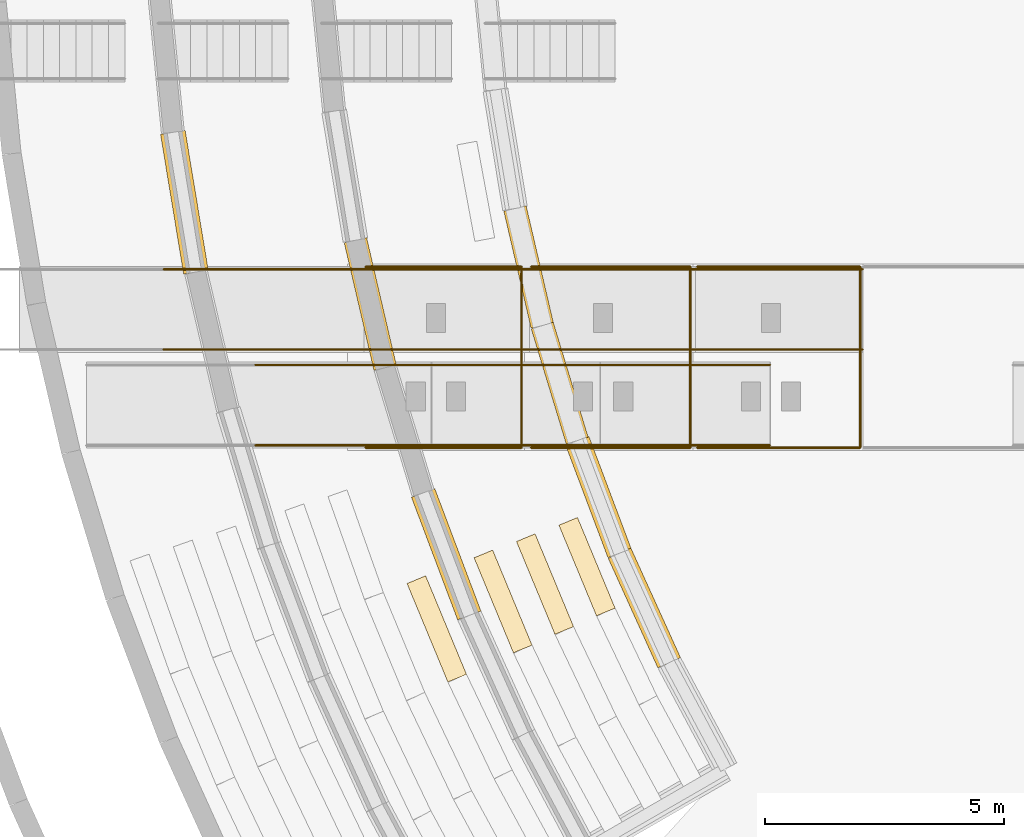
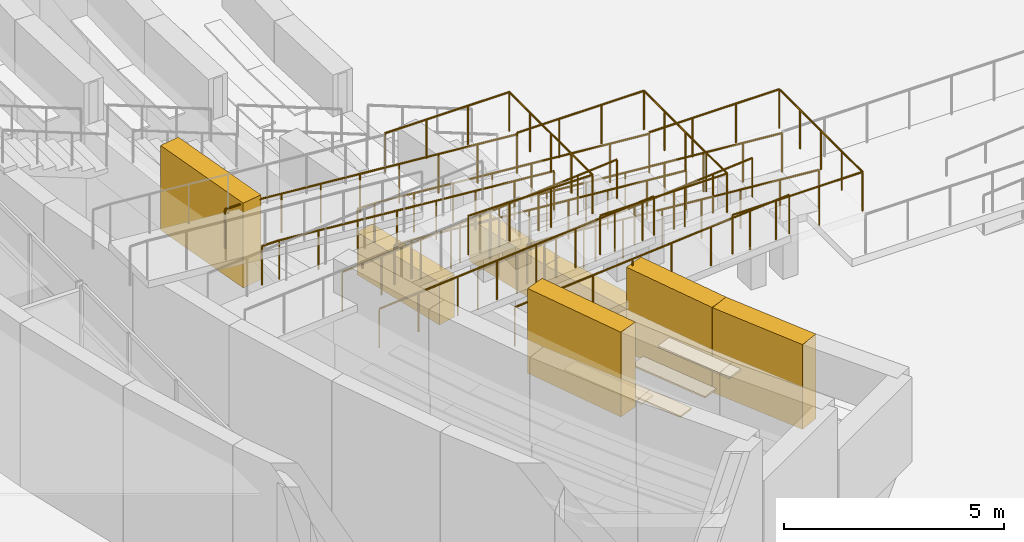
# One storey, part 111 of 116: 13 railings, 11 coverings, 4 elements without a shape of their own.
"""IFC4 building model written with IfcOpenShell, lengths in metres."""

import ifcopenshell
import ifcopenshell.guid

model = None  # the IFC model being written
_history = None  # IfcOwnerHistory: only IFC2X3 demands one
_inside = {}  # id of a spatial element -> (the spatial element, [elements in it])
_under = {}  # id of a project, library or spatial element -> (it, [spatial elements below it])
_declared = {}  # id of a project -> (the project, [libraries it declares])
_typed = {}  # id of a type object -> (the type object, [elements of that type])
_made_of = {}  # id of a material, layer set ... -> (it, [elements and type objects made of it])


def new_model(schema):
    """Start an empty IFC model of exactly this schema.

    Asked for "IFC4X3", IfcOpenShell would pick the latest addendum, in which some entities
    have other attributes; the version numbers below select the first issue.
    IFC2X3 requires an IfcOwnerHistory on every rooted entity: one is made here for all.
    """
    global model, _history
    if schema == "IFC4X3":
        model = ifcopenshell.file(schema_version=(4, 3, 0, 0))
    else:
        model = ifcopenshell.file(schema=schema)
    _inside.clear()
    _under.clear()
    _declared.clear()
    _typed.clear()
    _made_of.clear()
    _history = None
    if model.schema == "IFC2X3":
        org = make("IfcOrganization", Name="unknown")
        user = make(
            "IfcPersonAndOrganization",
            ThePerson=make("IfcPerson", FamilyName="unknown"),
            TheOrganization=org,
        )
        app = make(
            "IfcApplication",
            ApplicationDeveloper=org,
            Version="unknown",
            ApplicationFullName="unknown",
            ApplicationIdentifier="unknown",
        )
        _history = make(
            "IfcOwnerHistory",
            OwningUser=user,
            OwningApplication=app,
            ChangeAction="ADDED",
            CreationDate=0,
        )
    return model


def make(cls, **values):
    """One entity of the class cls with the attributes given. An attribute that is None is left unset."""
    return model.create_entity(
        cls, **{name: value for name, value in values.items() if value is not None}
    )


def rooted(cls, **values):
    """An entity with a GlobalId (a new one), such as an element, a storey or a relation."""
    return make(cls, GlobalId=ifcopenshell.guid.new(), OwnerHistory=_history, **values)


def si_unit(unit_type, name, prefix=None):
    """IfcSIUnit, for example si_unit("LENGTHUNIT", "METRE", prefix="MILLI")."""
    return make("IfcSIUnit", UnitType=unit_type, Prefix=prefix, Name=name)


def assignment(units):
    """IfcUnitAssignment: the units of a project."""
    return None if units is None else make("IfcUnitAssignment", Units=units)


def point(xyz):
    """IfcCartesianPoint."""
    return None if xyz is None else make("IfcCartesianPoint", Coordinates=xyz)


def direction(xyz):
    """IfcDirection."""
    return None if xyz is None else make("IfcDirection", DirectionRatios=xyz)


def frame(location, z_axis=None, x_axis=None):
    """IfcAxis2Placement3D, a coordinate frame: its origin and axes. An axis left out is left unset."""
    return make(
        "IfcAxis2Placement3D",
        Location=point(location),
        Axis=direction(z_axis),
        RefDirection=direction(x_axis),
    )


def frame_2d(location, x_axis=None):
    """IfcAxis2Placement2D, a coordinate frame in the plane: its origin and x axis."""
    return make(
        "IfcAxis2Placement2D", Location=point(location), RefDirection=direction(x_axis)
    )


def origin():
    """The frame at (0, 0, 0) with its axes left unset."""
    return frame((0.0, 0.0, 0.0))


def origin_2d():
    """The frame at (0, 0) in the plane with its x axis left unset."""
    return frame_2d((0.0, 0.0))


def place(relative_to, where):
    """IfcLocalPlacement: puts the frame where relative to a parent placement (None: the world)."""
    return make(
        "IfcLocalPlacement", PlacementRelTo=relative_to, RelativePlacement=where
    )


def context(
    kind, dimensions, precision=None, world=None, true_north=None, identifier=None
):
    """IfcGeometricRepresentationContext, for example the 3D "Model" context."""
    return make(
        "IfcGeometricRepresentationContext",
        ContextIdentifier=identifier,
        ContextType=kind,
        CoordinateSpaceDimension=dimensions,
        Precision=precision,
        WorldCoordinateSystem=world,
        TrueNorth=true_north,
    )


def subcontext(parent, identifier, kind, view, scale=None):
    """IfcGeometricRepresentationSubContext, for example "Body" below "Model"."""
    return make(
        "IfcGeometricRepresentationSubContext",
        ContextIdentifier=identifier,
        ContextType=kind,
        ParentContext=parent,
        TargetScale=scale,
        TargetView=view,
    )


def project(units=None, contexts=None):
    """IfcProject with its units and contexts."""
    return rooted(
        "IfcProject",
        Name="project",
        RepresentationContexts=contexts,
        UnitsInContext=assignment(units),
    )


def spatial(cls, under=None, at=None, **own):
    """A site, building, storey or space (cls), placed at a placement, below another one or the project."""
    s = rooted(cls, ObjectPlacement=at, **own)
    if under is not None:
        _under.setdefault(under.id(), (under, []))[1].append(s)
    return s


def polyline(points):
    """IfcPolyline through the points."""
    return make("IfcPolyline", Points=[point(p) for p in points])


def profile(cls, at=None, kind="AREA", **sizes):
    """A parametric profile (cls). Its sizes go by their IFC names, for example OverallWidth=200.0."""
    return make(cls, ProfileType=kind, Position=at, **sizes)


def circle(**sizes):
    """IfcCircleProfileDef."""
    return profile("IfcCircleProfileDef", **sizes)


def outline(outer, holes=None, kind="AREA"):
    """IfcArbitraryClosedProfileDef: a profile drawn as a closed curve; with holes, ...WithVoids."""
    if holes is None:
        return make("IfcArbitraryClosedProfileDef", ProfileType=kind, OuterCurve=outer)
    return make(
        "IfcArbitraryProfileDefWithVoids",
        ProfileType=kind,
        OuterCurve=outer,
        InnerCurves=holes,
    )


def extrude(swept, where, along, depth):
    """IfcExtrudedAreaSolid: the profile swept, set in the frame where, extruded along a direction by depth."""
    return make(
        "IfcExtrudedAreaSolid",
        SweptArea=swept,
        Position=where,
        ExtrudedDirection=direction(along),
        Depth=depth,
    )


def shape(context_of_items, identifier, shape_type, items):
    """IfcShapeRepresentation: the items that make up one representation, for example the "Body"."""
    return make(
        "IfcShapeRepresentation",
        ContextOfItems=context_of_items,
        RepresentationIdentifier=identifier,
        RepresentationType=shape_type,
        Items=items,
    )


def material(Name=None, Category=None):
    """IfcMaterial."""
    return make("IfcMaterial", Name=Name, Category=Category)


def layer(
    of_material, thickness, ventilated=None, Name=None, Category=None, Priority=None
):
    """IfcMaterialLayer: one layer of a wall or slab, of a material (None: an air gap)."""
    return make(
        "IfcMaterialLayer",
        Material=of_material,
        LayerThickness=thickness,
        IsVentilated=ventilated,
        Name=Name,
        Category=Category,
        Priority=Priority,
    )


def layer_set(layers, Name=None):
    """IfcMaterialLayerSet."""
    return make("IfcMaterialLayerSet", MaterialLayers=layers, LayerSetName=Name)


def made_of(thing, what):
    """Note that an element or type object is made of a material, layer set ...; save() writes the relation."""
    if what is not None:
        _made_of.setdefault(what.id(), (what, []))[1].append(thing)
    return thing


def type_object(cls, material=None, **own):
    """A type object (cls), such as IfcWallType, which elements share."""
    return made_of(rooted(cls, **own), material)


def element(
    cls,
    number,
    at=None,
    inside=None,
    cuts=None,
    type_object=None,
    material=None,
    context=None,
    identifier="Body",
    shape_type=None,
    held_by="IfcProductDefinitionShape",
    body=None,
    shapes=None,
    **own,
):
    """One element of the class cls, such as IfcWall. Its Tag is "e" and its number.

    at: its placement. inside: the storey or other place that contains it. cuts: it is an
    opening in that element (IfcRelVoidsElement). A single representation is given by context,
    identifier, shape_type and body (its items); several are given by shapes. held_by: the class
    of the entity that holds the representations. save() writes the other relations.
    """
    e = rooted(cls, Tag="e%d" % number, ObjectPlacement=at, **own)
    if body is not None:
        shapes = [shape(context, identifier, shape_type, body)]
    if shapes is not None:
        e.Representation = make(held_by, Representations=shapes)
    if inside is not None:
        _inside.setdefault(inside.id(), (inside, []))[1].append(e)
    if cuts is not None:
        rooted(
            "IfcRelVoidsElement", RelatingBuildingElement=cuts, RelatedOpeningElement=e
        )
    if type_object is not None:
        _typed.setdefault(type_object.id(), (type_object, []))[1].append(e)
    return made_of(e, material)


def aggregate(whole, parts):
    """IfcRelAggregates: a whole, such as a stair, and the parts it consists of."""
    return rooted("IfcRelAggregates", RelatingObject=whole, RelatedObjects=parts)


def save(model, path):
    """Write the relations noted so far, then the file.

    IfcRelAggregates (storeys below a building ...), IfcRelContainedInSpatialStructure (elements
    in a storey), IfcRelDefinesByType, IfcRelAssociatesMaterial and IfcRelDeclares: one each for
    every whole, place, type object, material and project.
    """
    for whole, parts in _under.values():
        aggregate(whole, parts)
    for where, things in _inside.values():
        rooted(
            "IfcRelContainedInSpatialStructure",
            RelatedElements=things,
            RelatingStructure=where,
        )
    for kind, things in _typed.values():
        rooted("IfcRelDefinesByType", RelatedObjects=things, RelatingType=kind)
    for what, things in _made_of.values():
        rooted("IfcRelAssociatesMaterial", RelatedObjects=things, RelatingMaterial=what)
    for by, libraries in _declared.values():
        rooted("IfcRelDeclares", RelatingContext=by, RelatedDefinitions=libraries)
    model.write(path)


model = new_model("IFC4")

# Units and contexts
model_context = context("Model", 3, precision=1e-05, world=origin(), true_north=direction((0.0, 1.0)))
body_context = subcontext(model_context, "Body", "Model", "MODEL_VIEW")
ifc_project = project(units=[si_unit("LENGTHUNIT", "METRE"), si_unit("AREAUNIT", "SQUARE_METRE"), si_unit("VOLUMEUNIT", "CUBIC_METRE"), si_unit("PLANEANGLEUNIT", "RADIAN"), si_unit("MASSUNIT", "GRAM", prefix="KILO")], contexts=[model_context])

# Site, building, storey
site_placement = place(None, origin())
site = spatial("IfcSite", under=ifc_project, at=site_placement, CompositionType="ELEMENT")
building_placement = place(site_placement, origin())
building = spatial("IfcBuilding", under=site, at=building_placement, Name="Chalmorin Arch Market", CompositionType="ELEMENT")
storey_placement = place(building_placement, origin())
storey = spatial("IfcBuildingStorey", under=building, at=storey_placement, Name="L00", CompositionType="ELEMENT", Elevation=0.0)

# Ramp, railings
ifc_material_1 = material(Name="Concrete C40/50", Category="concrete")
ramp_type = type_object("IfcRampType", Name="AmphitheatreAccessibleRamp-1800", PredefinedType="HALF_TURN_RAMP", material=ifc_material_1)
ramp_1_placement = place(storey_placement, origin())
ramp_1 = element("IfcRamp", 1, at=ramp_1_placement, inside=storey, type_object=ramp_type, material=ifc_material_1, Name="RMP-01", PredefinedType="HALF_TURN_RAMP")
ifc_material_2 = material(Name="Galvanised Steel", Category="steel")
ifc_layer_1 = layer(ifc_material_2, 0.054931640625)
ifc_layer_set_1 = layer_set([ifc_layer_1], Name="Galvanised Steel")
railing_type = type_object("IfcRailingType", Name="StairWellGuardrail-1100", PredefinedType="GUARDRAIL", material=ifc_layer_set_1)
railing_1_placement = place(storey_placement, frame((153.59912109375, 21.9599609375, 0.60009765625)))
railing_1 = element("IfcRailing", 2, at=railing_1_placement, type_object=railing_type, Name="SG-01-149", PredefinedType="GUARDRAIL", context=body_context, shape_type="SweptSolid", body=[
    extrude(circle(Radius=0.02392578125, at=origin_2d()), frame((0.0, 0.0, 1.076171875), z_axis=(-0.996547622294, 0.0, 0.083023108232), x_axis=(0.0, -1.0, 0.0)), (0.0, 0.0, 1.0), 7.22509765625),
    extrude(circle(Radius=0.02392578125, at=origin_2d()), frame((-7.2001953125, 0.0, 1.67578125), z_axis=(-1.0, 0.0, 0.0), x_axis=(0.0, -1.0, 0.0)), (0.0, 0.0, 1.0), 0.449951171875),
    extrude(circle(Radius=0.02099609375, at=origin_2d()), origin(), (0.0, 0.0, 1.0), 1.052001953125),
    extrude(circle(Radius=0.02099609375, at=origin_2d()), frame((-1.028564453125, 0.0, 0.085693359375)), (0.0, 0.0, 1.0), 1.052001953125),
    extrude(circle(Radius=0.02099609375, at=origin_2d()), frame((-2.05712890625, 0.0, 0.17138671875)), (0.0, 0.0, 1.0), 1.052001953125),
    extrude(circle(Radius=0.02099609375, at=origin_2d()), frame((-3.085693359375, 0.0, 0.257080078125)), (0.0, 0.0, 1.0), 1.052001953125),
    extrude(circle(Radius=0.02099609375, at=origin_2d()), frame((-4.114501953125, 0.0, 0.3427734375)), (0.0, 0.0, 1.0), 1.052001953125),
    extrude(circle(Radius=0.02099609375, at=origin_2d()), frame((-5.14306640625, 0.0, 0.428466796875)), (0.0, 0.0, 1.0), 1.052001953125),
    extrude(circle(Radius=0.02099609375, at=origin_2d()), frame((-6.171630859375, 0.0, 0.51416015625)), (0.0, 0.0, 1.0), 1.052001953125),
    extrude(circle(Radius=0.02099609375, at=origin_2d()), frame((-7.2001953125, 0.0, 0.599853515625)), (0.0, 0.0, 1.0), 1.052001953125),
    extrude(circle(Radius=0.02099609375, at=origin_2d()), frame((-7.650146484375, 0.0, 0.599853515625)), (0.0, 0.0, 1.0), 1.052001953125),
])
railing_2_placement = place(storey_placement, frame((153.59912109375, 23.639892578125, 0.60009765625)))
railing_2 = element("IfcRailing", 3, at=railing_2_placement, type_object=railing_type, Name="SG-01-151", PredefinedType="GUARDRAIL", context=body_context, shape_type="SweptSolid", body=[
    extrude(circle(Radius=0.02392578125, at=origin_2d()), frame((0.0, 0.0, 1.076171875), z_axis=(-0.996547622294, 0.0, 0.083023108232), x_axis=(0.0, -1.0, 0.0)), (0.0, 0.0, 1.0), 7.22509765625),
    extrude(circle(Radius=0.02392578125, at=origin_2d()), frame((-7.2001953125, 0.0, 1.67578125), z_axis=(-1.0, 0.0, 0.0), x_axis=(0.0, -1.0, 0.0)), (0.0, 0.0, 1.0), 0.449951171875),
    extrude(circle(Radius=0.02099609375, at=origin_2d()), origin(), (0.0, 0.0, 1.0), 1.052001953125),
    extrude(circle(Radius=0.02099609375, at=origin_2d()), frame((-1.028564453125, 0.0, 0.085693359375)), (0.0, 0.0, 1.0), 1.052001953125),
    extrude(circle(Radius=0.02099609375, at=origin_2d()), frame((-2.05712890625, 0.0, 0.17138671875)), (0.0, 0.0, 1.0), 1.052001953125),
    extrude(circle(Radius=0.02099609375, at=origin_2d()), frame((-3.085693359375, 0.0, 0.257080078125)), (0.0, 0.0, 1.0), 1.052001953125),
    extrude(circle(Radius=0.02099609375, at=origin_2d()), frame((-4.114501953125, 0.0, 0.3427734375)), (0.0, 0.0, 1.0), 1.052001953125),
    extrude(circle(Radius=0.02099609375, at=origin_2d()), frame((-5.14306640625, 0.0, 0.428466796875)), (0.0, 0.0, 1.0), 1.052001953125),
    extrude(circle(Radius=0.02099609375, at=origin_2d()), frame((-6.171630859375, 0.0, 0.51416015625)), (0.0, 0.0, 1.0), 1.052001953125),
    extrude(circle(Radius=0.02099609375, at=origin_2d()), frame((-7.2001953125, 0.0, 0.599853515625)), (0.0, 0.0, 1.0), 1.052001953125),
    extrude(circle(Radius=0.02099609375, at=origin_2d()), frame((-7.650146484375, 0.0, 0.599853515625)), (0.0, 0.0, 1.0), 1.052001953125),
])
aggregate(ramp_1, [railing_1, railing_2])

ramp_2_placement = place(storey_placement, origin())
ramp_2 = element("IfcRamp", 4, at=ramp_2_placement, inside=storey, type_object=ramp_type, material=ifc_material_1, Name="RMP-03", PredefinedType="HALF_TURN_RAMP")
railing_3_placement = place(storey_placement, frame((150.14501953125, 19.909912109375, 1.800048828125)))
railing_3 = element("IfcRailing", 5, at=railing_3_placement, type_object=railing_type, Name="SG-01-157", PredefinedType="GUARDRAIL", context=body_context, shape_type="SweptSolid", body=[
    extrude(circle(Radius=0.02392578125, at=origin_2d()), frame((0.0, 0.0, 1.076171875), z_axis=(1.0, 0.0, 0.0), x_axis=(0.0, 1.0, 0.0)), (0.0, 0.0, 1.0), 3.407958984375),
    extrude(circle(Radius=0.02392578125, at=origin_2d()), frame((3.407958984375, 0.0, 1.076171875), z_axis=(0.0, 1.0, 0.0), x_axis=(-1.0, 0.0, 0.0)), (0.0, 0.0, 1.0), 3.780029296875),
    extrude(circle(Radius=0.02392578125, at=origin_2d()), frame((3.407958984375, 3.780029296875, 1.076171875), z_axis=(-1.0, 0.0, 0.0), x_axis=(0.0, -1.0, 0.0)), (0.0, 0.0, 1.0), 3.407958984375),
    extrude(circle(Radius=0.02099609375, at=origin_2d()), origin(), (0.0, 0.0, 1.0), 1.052001953125),
    extrude(circle(Radius=0.02099609375, at=origin_2d()), frame((1.135986328125, 0.0, 0.0)), (0.0, 0.0, 1.0), 1.052001953125),
    extrude(circle(Radius=0.02099609375, at=origin_2d()), frame((2.27197265625, 0.0, 0.0)), (0.0, 0.0, 1.0), 1.052001953125),
    extrude(circle(Radius=0.02099609375, at=origin_2d()), frame((3.407958984375, 0.0, 0.0)), (0.0, 0.0, 1.0), 1.052001953125),
    extrude(circle(Radius=0.02099609375, at=origin_2d()), frame((3.407958984375, 0.945068359375, 0.0)), (0.0, 0.0, 1.0), 1.052001953125),
    extrude(circle(Radius=0.02099609375, at=origin_2d()), frame((3.407958984375, 1.89013671875, 0.0)), (0.0, 0.0, 1.0), 1.052001953125),
    extrude(circle(Radius=0.02099609375, at=origin_2d()), frame((3.407958984375, 2.8349609375, 0.0)), (0.0, 0.0, 1.0), 1.052001953125),
    extrude(circle(Radius=0.02099609375, at=origin_2d()), frame((3.407958984375, 3.780029296875, 0.0)), (0.0, 0.0, 1.0), 1.052001953125),
    extrude(circle(Radius=0.02099609375, at=origin_2d()), frame((2.27197265625, 3.780029296875, 0.0)), (0.0, 0.0, 1.0), 1.052001953125),
    extrude(circle(Radius=0.02099609375, at=origin_2d()), frame((1.135986328125, 3.780029296875, 0.0)), (0.0, 0.0, 1.0), 1.052001953125),
    extrude(circle(Radius=0.02099609375, at=origin_2d()), frame((0.0, 3.780029296875, 0.0)), (0.0, 0.0, 1.0), 1.052001953125),
])
railing_4_placement = place(storey_placement, frame((144.462890625, 19.9599609375, 1.199951171875)))
railing_4 = element("IfcRailing", 6, at=railing_4_placement, type_object=railing_type, Name="SG-01-158", PredefinedType="GUARDRAIL", context=body_context, shape_type="SweptSolid", body=[
    extrude(circle(Radius=0.02392578125, at=origin_2d()), frame((0.0, 0.0, 1.076171875), z_axis=(0.996544826035, 0.0, 0.083056665618), x_axis=(0.0, 1.0, 0.0)), (0.0, 0.0, 1.0), 7.22509765625),
    extrude(circle(Radius=0.02099609375, at=origin_2d()), origin(), (0.0, 0.0, 1.0), 1.052001953125),
    extrude(circle(Radius=0.02099609375, at=origin_2d()), frame((1.028564453125, 0.0, 0.085693359375)), (0.0, 0.0, 1.0), 1.052001953125),
    extrude(circle(Radius=0.02099609375, at=origin_2d()), frame((2.05712890625, 0.0, 0.17138671875)), (0.0, 0.0, 1.0), 1.052001953125),
    extrude(circle(Radius=0.02099609375, at=origin_2d()), frame((3.085693359375, 0.0, 0.257080078125)), (0.0, 0.0, 1.0), 1.052001953125),
    extrude(circle(Radius=0.02099609375, at=origin_2d()), frame((4.114501953125, 0.0, 0.343017578125)), (0.0, 0.0, 1.0), 1.052001953125),
    extrude(circle(Radius=0.02099609375, at=origin_2d()), frame((5.14306640625, 0.0, 0.4287109375)), (0.0, 0.0, 1.0), 1.052001953125),
    extrude(circle(Radius=0.02099609375, at=origin_2d()), frame((6.171630859375, 0.0, 0.514404296875)), (0.0, 0.0, 1.0), 1.052001953125),
    extrude(circle(Radius=0.02099609375, at=origin_2d()), frame((7.2001953125, 0.0, 0.60009765625)), (0.0, 0.0, 1.0), 1.052001953125),
])
railing_5_placement = place(storey_placement, frame((150.114990234375, 21.9599609375, 1.800048828125)))
railing_5 = element("IfcRailing", 7, at=railing_5_placement, type_object=railing_type, Name="SG-01-159", PredefinedType="GUARDRAIL", context=body_context, shape_type="SweptSolid", body=[
    extrude(circle(Radius=0.02392578125, at=origin_2d()), frame((0.0, 0.0, 1.076171875), z_axis=(-0.99654738937, 0.0, 0.083025904028), x_axis=(0.0, -1.0, 0.0)), (0.0, 0.0, 1.0), 7.224853515625),
    extrude(circle(Radius=0.02392578125, at=origin_2d()), frame((-7.199951171875, 0.0, 1.67578125), z_axis=(-1.0, 0.0, 0.0), x_axis=(0.0, -1.0, 0.0)), (0.0, 0.0, 1.0), 0.449951171875),
    extrude(circle(Radius=0.02099609375, at=origin_2d()), origin(), (0.0, 0.0, 1.0), 1.052001953125),
    extrude(circle(Radius=0.02099609375, at=origin_2d()), frame((-1.028564453125, 0.0, 0.085693359375)), (0.0, 0.0, 1.0), 1.052001953125),
    extrude(circle(Radius=0.02099609375, at=origin_2d()), frame((-2.05712890625, 0.0, 0.17138671875)), (0.0, 0.0, 1.0), 1.052001953125),
    extrude(circle(Radius=0.02099609375, at=origin_2d()), frame((-3.085693359375, 0.0, 0.257080078125)), (0.0, 0.0, 1.0), 1.052001953125),
    extrude(circle(Radius=0.02099609375, at=origin_2d()), frame((-4.1142578125, 0.0, 0.3427734375)), (0.0, 0.0, 1.0), 1.052001953125),
    extrude(circle(Radius=0.02099609375, at=origin_2d()), frame((-5.142822265625, 0.0, 0.428466796875)), (0.0, 0.0, 1.0), 1.052001953125),
    extrude(circle(Radius=0.02099609375, at=origin_2d()), frame((-6.17138671875, 0.0, 0.51416015625)), (0.0, 0.0, 1.0), 1.052001953125),
    extrude(circle(Radius=0.02099609375, at=origin_2d()), frame((-7.199951171875, 0.0, 0.599853515625)), (0.0, 0.0, 1.0), 1.052001953125),
    extrude(circle(Radius=0.02099609375, at=origin_2d()), frame((-7.64990234375, 0.0, 0.599853515625)), (0.0, 0.0, 1.0), 1.052001953125),
])
railing_6_placement = place(storey_placement, frame((144.462890625, 21.639892578125, 1.199951171875)))
railing_6 = element("IfcRailing", 8, at=railing_6_placement, type_object=railing_type, Name="SG-01-160", PredefinedType="GUARDRAIL", context=body_context, shape_type="SweptSolid", body=[
    extrude(circle(Radius=0.02392578125, at=origin_2d()), frame((0.0, 0.0, 1.076171875), z_axis=(0.996544826035, 0.0, 0.083056665618), x_axis=(0.0, 1.0, 0.0)), (0.0, 0.0, 1.0), 7.22509765625),
    extrude(circle(Radius=0.02099609375, at=origin_2d()), origin(), (0.0, 0.0, 1.0), 1.052001953125),
    extrude(circle(Radius=0.02099609375, at=origin_2d()), frame((1.028564453125, 0.0, 0.085693359375)), (0.0, 0.0, 1.0), 1.052001953125),
    extrude(circle(Radius=0.02099609375, at=origin_2d()), frame((2.05712890625, 0.0, 0.17138671875)), (0.0, 0.0, 1.0), 1.052001953125),
    extrude(circle(Radius=0.02099609375, at=origin_2d()), frame((3.085693359375, 0.0, 0.257080078125)), (0.0, 0.0, 1.0), 1.052001953125),
    extrude(circle(Radius=0.02099609375, at=origin_2d()), frame((4.114501953125, 0.0, 0.343017578125)), (0.0, 0.0, 1.0), 1.052001953125),
    extrude(circle(Radius=0.02099609375, at=origin_2d()), frame((5.14306640625, 0.0, 0.4287109375)), (0.0, 0.0, 1.0), 1.052001953125),
    extrude(circle(Radius=0.02099609375, at=origin_2d()), frame((6.171630859375, 0.0, 0.514404296875)), (0.0, 0.0, 1.0), 1.052001953125),
    extrude(circle(Radius=0.02099609375, at=origin_2d()), frame((7.2001953125, 0.0, 0.60009765625)), (0.0, 0.0, 1.0), 1.052001953125),
])
railing_7_placement = place(storey_placement, frame((150.114990234375, 23.639892578125, 1.800048828125)))
railing_7 = element("IfcRailing", 9, at=railing_7_placement, type_object=railing_type, Name="SG-01-161", PredefinedType="GUARDRAIL", context=body_context, shape_type="SweptSolid", body=[
    extrude(circle(Radius=0.02392578125, at=origin_2d()), frame((0.0, 0.0, 1.076171875), z_axis=(-0.99654738937, 0.0, 0.083025904028), x_axis=(0.0, -1.0, 0.0)), (0.0, 0.0, 1.0), 7.224853515625),
    extrude(circle(Radius=0.02392578125, at=origin_2d()), frame((-7.199951171875, 0.0, 1.67578125), z_axis=(-1.0, 0.0, 0.0), x_axis=(0.0, -1.0, 0.0)), (0.0, 0.0, 1.0), 0.449951171875),
    extrude(circle(Radius=0.02099609375, at=origin_2d()), origin(), (0.0, 0.0, 1.0), 1.052001953125),
    extrude(circle(Radius=0.02099609375, at=origin_2d()), frame((-1.028564453125, 0.0, 0.085693359375)), (0.0, 0.0, 1.0), 1.052001953125),
    extrude(circle(Radius=0.02099609375, at=origin_2d()), frame((-2.05712890625, 0.0, 0.17138671875)), (0.0, 0.0, 1.0), 1.052001953125),
    extrude(circle(Radius=0.02099609375, at=origin_2d()), frame((-3.085693359375, 0.0, 0.257080078125)), (0.0, 0.0, 1.0), 1.052001953125),
    extrude(circle(Radius=0.02099609375, at=origin_2d()), frame((-4.1142578125, 0.0, 0.3427734375)), (0.0, 0.0, 1.0), 1.052001953125),
    extrude(circle(Radius=0.02099609375, at=origin_2d()), frame((-5.142822265625, 0.0, 0.428466796875)), (0.0, 0.0, 1.0), 1.052001953125),
    extrude(circle(Radius=0.02099609375, at=origin_2d()), frame((-6.17138671875, 0.0, 0.51416015625)), (0.0, 0.0, 1.0), 1.052001953125),
    extrude(circle(Radius=0.02099609375, at=origin_2d()), frame((-7.199951171875, 0.0, 0.599853515625)), (0.0, 0.0, 1.0), 1.052001953125),
    extrude(circle(Radius=0.02099609375, at=origin_2d()), frame((-7.64990234375, 0.0, 0.599853515625)), (0.0, 0.0, 1.0), 1.052001953125),
])
aggregate(ramp_2, [railing_3, railing_4, railing_5, railing_6, railing_7])

ramp_3_placement = place(storey_placement, origin())
ramp_3 = element("IfcRamp", 10, at=ramp_3_placement, inside=storey, type_object=ramp_type, material=ifc_material_1, Name="RMP-05", PredefinedType="HALF_TURN_RAMP")
railing_8_placement = place(storey_placement, frame((146.675048828125, 19.909912109375, 3.0)))
railing_8 = element("IfcRailing", 11, at=railing_8_placement, type_object=railing_type, Name="SG-01-167", PredefinedType="GUARDRAIL", context=body_context, shape_type="SweptSolid", body=[
    extrude(circle(Radius=0.02392578125, at=origin_2d()), frame((0.0, 0.0, 1.076171875), z_axis=(1.0, 0.0, 0.0), x_axis=(0.0, 1.0, 0.0)), (0.0, 0.0, 1.0), 3.327880859375),
    extrude(circle(Radius=0.02392578125, at=origin_2d()), frame((3.327880859375, 0.0, 1.076171875), z_axis=(0.0, 1.0, 0.0), x_axis=(-1.0, 0.0, 0.0)), (0.0, 0.0, 1.0), 3.780029296875),
    extrude(circle(Radius=0.02392578125, at=origin_2d()), frame((3.327880859375, 3.780029296875, 1.076171875), z_axis=(-1.0, 0.0, 0.0), x_axis=(0.0, -1.0, 0.0)), (0.0, 0.0, 1.0), 3.327880859375),
    extrude(circle(Radius=0.02099609375, at=origin_2d()), origin(), (0.0, 0.0, 1.0), 1.052001953125),
    extrude(circle(Radius=0.02099609375, at=origin_2d()), frame((1.109375, 0.0, 0.0)), (0.0, 0.0, 1.0), 1.052001953125),
    extrude(circle(Radius=0.02099609375, at=origin_2d()), frame((2.218505859375, 0.0, 0.0)), (0.0, 0.0, 1.0), 1.052001953125),
    extrude(circle(Radius=0.02099609375, at=origin_2d()), frame((3.327880859375, 0.0, 0.0)), (0.0, 0.0, 1.0), 1.052001953125),
    extrude(circle(Radius=0.02099609375, at=origin_2d()), frame((3.327880859375, 0.945068359375, 0.0)), (0.0, 0.0, 1.0), 1.052001953125),
    extrude(circle(Radius=0.02099609375, at=origin_2d()), frame((3.327880859375, 1.89013671875, 0.0)), (0.0, 0.0, 1.0), 1.052001953125),
    extrude(circle(Radius=0.02099609375, at=origin_2d()), frame((3.327880859375, 2.8349609375, 0.0)), (0.0, 0.0, 1.0), 1.052001953125),
    extrude(circle(Radius=0.02099609375, at=origin_2d()), frame((3.327880859375, 3.780029296875, 0.0)), (0.0, 0.0, 1.0), 1.052001953125),
    extrude(circle(Radius=0.02099609375, at=origin_2d()), frame((2.218505859375, 3.780029296875, 0.0)), (0.0, 0.0, 1.0), 1.052001953125),
    extrude(circle(Radius=0.02099609375, at=origin_2d()), frame((1.109375, 3.780029296875, 0.0)), (0.0, 0.0, 1.0), 1.052001953125),
    extrude(circle(Radius=0.02099609375, at=origin_2d()), frame((0.0, 3.780029296875, 0.0)), (0.0, 0.0, 1.0), 1.052001953125),
])
railing_9_placement = place(storey_placement, frame((140.9130859375, 19.9599609375, 2.39990234375)))
railing_9 = element("IfcRailing", 12, at=railing_9_placement, type_object=railing_type, Name="SG-01-168", PredefinedType="GUARDRAIL", context=body_context, shape_type="SweptSolid", body=[
    extrude(circle(Radius=0.02392578125, at=origin_2d()), frame((0.0, 0.0, 1.076171875), z_axis=(0.996544592923, 0.0, 0.083059462528), x_axis=(0.0, 1.0, 0.0)), (0.0, 0.0, 1.0), 7.224853515625),
    extrude(circle(Radius=0.02099609375, at=origin_2d()), origin(), (0.0, 0.0, 1.0), 1.052001953125),
    extrude(circle(Radius=0.02099609375, at=origin_2d()), frame((1.028564453125, 0.0, 0.085693359375)), (0.0, 0.0, 1.0), 1.052001953125),
    extrude(circle(Radius=0.02099609375, at=origin_2d()), frame((2.05712890625, 0.0, 0.17138671875)), (0.0, 0.0, 1.0), 1.052001953125),
    extrude(circle(Radius=0.02099609375, at=origin_2d()), frame((3.085693359375, 0.0, 0.257080078125)), (0.0, 0.0, 1.0), 1.052001953125),
    extrude(circle(Radius=0.02099609375, at=origin_2d()), frame((4.1142578125, 0.0, 0.343017578125)), (0.0, 0.0, 1.0), 1.052001953125),
    extrude(circle(Radius=0.02099609375, at=origin_2d()), frame((5.142822265625, 0.0, 0.4287109375)), (0.0, 0.0, 1.0), 1.052001953125),
    extrude(circle(Radius=0.02099609375, at=origin_2d()), frame((6.17138671875, 0.0, 0.514404296875)), (0.0, 0.0, 1.0), 1.052001953125),
    extrude(circle(Radius=0.02099609375, at=origin_2d()), frame((7.199951171875, 0.0, 0.60009765625)), (0.0, 0.0, 1.0), 1.052001953125),
])
railing_10_placement = place(storey_placement, frame((146.64501953125, 21.9599609375, 3.0)))
railing_10 = element("IfcRailing", 13, at=railing_10_placement, type_object=railing_type, Name="SG-01-169", PredefinedType="GUARDRAIL", context=body_context, shape_type="SweptSolid", body=[
    extrude(circle(Radius=0.02392578125, at=origin_2d()), frame((0.0, 0.0, 1.076171875), z_axis=(-0.996544592923, 0.0, 0.083059462528), x_axis=(0.0, -1.0, 0.0)), (0.0, 0.0, 1.0), 7.224853515625),
    extrude(circle(Radius=0.02392578125, at=origin_2d()), frame((-7.199951171875, 0.0, 1.67626953125), z_axis=(-1.0, 0.0, 0.0), x_axis=(0.0, -1.0, 0.0)), (0.0, 0.0, 1.0), 0.449951171875),
    extrude(circle(Radius=0.02099609375, at=origin_2d()), origin(), (0.0, 0.0, 1.0), 1.052001953125),
    extrude(circle(Radius=0.02099609375, at=origin_2d()), frame((-1.028564453125, 0.0, 0.085693359375)), (0.0, 0.0, 1.0), 1.052001953125),
    extrude(circle(Radius=0.02099609375, at=origin_2d()), frame((-2.05712890625, 0.0, 0.17138671875)), (0.0, 0.0, 1.0), 1.052001953125),
    extrude(circle(Radius=0.02099609375, at=origin_2d()), frame((-3.085693359375, 0.0, 0.257080078125)), (0.0, 0.0, 1.0), 1.052001953125),
    extrude(circle(Radius=0.02099609375, at=origin_2d()), frame((-4.1142578125, 0.0, 0.343017578125)), (0.0, 0.0, 1.0), 1.052001953125),
    extrude(circle(Radius=0.02099609375, at=origin_2d()), frame((-5.142822265625, 0.0, 0.4287109375)), (0.0, 0.0, 1.0), 1.052001953125),
    extrude(circle(Radius=0.02099609375, at=origin_2d()), frame((-6.17138671875, 0.0, 0.514404296875)), (0.0, 0.0, 1.0), 1.052001953125),
    extrude(circle(Radius=0.02099609375, at=origin_2d()), frame((-7.199951171875, 0.0, 0.60009765625)), (0.0, 0.0, 1.0), 1.052001953125),
    extrude(circle(Radius=0.02099609375, at=origin_2d()), frame((-7.64990234375, 0.0, 0.60009765625)), (0.0, 0.0, 1.0), 1.052001953125),
])
railing_11_placement = place(storey_placement, frame((140.9130859375, 21.639892578125, 2.39990234375)))
railing_11 = element("IfcRailing", 14, at=railing_11_placement, type_object=railing_type, Name="SG-01-170", PredefinedType="GUARDRAIL", context=body_context, shape_type="SweptSolid", body=[
    extrude(circle(Radius=0.02392578125, at=origin_2d()), frame((0.0, 0.0, 1.076171875), z_axis=(0.996544592923, 0.0, 0.083059462528), x_axis=(0.0, 1.0, 0.0)), (0.0, 0.0, 1.0), 7.224853515625),
    extrude(circle(Radius=0.02099609375, at=origin_2d()), origin(), (0.0, 0.0, 1.0), 1.052001953125),
    extrude(circle(Radius=0.02099609375, at=origin_2d()), frame((1.028564453125, 0.0, 0.085693359375)), (0.0, 0.0, 1.0), 1.052001953125),
    extrude(circle(Radius=0.02099609375, at=origin_2d()), frame((2.05712890625, 0.0, 0.17138671875)), (0.0, 0.0, 1.0), 1.052001953125),
    extrude(circle(Radius=0.02099609375, at=origin_2d()), frame((3.085693359375, 0.0, 0.257080078125)), (0.0, 0.0, 1.0), 1.052001953125),
    extrude(circle(Radius=0.02099609375, at=origin_2d()), frame((4.1142578125, 0.0, 0.343017578125)), (0.0, 0.0, 1.0), 1.052001953125),
    extrude(circle(Radius=0.02099609375, at=origin_2d()), frame((5.142822265625, 0.0, 0.4287109375)), (0.0, 0.0, 1.0), 1.052001953125),
    extrude(circle(Radius=0.02099609375, at=origin_2d()), frame((6.17138671875, 0.0, 0.514404296875)), (0.0, 0.0, 1.0), 1.052001953125),
    extrude(circle(Radius=0.02099609375, at=origin_2d()), frame((7.199951171875, 0.0, 0.60009765625)), (0.0, 0.0, 1.0), 1.052001953125),
])
railing_12_placement = place(storey_placement, frame((146.64501953125, 23.639892578125, 3.0)))
railing_12 = element("IfcRailing", 15, at=railing_12_placement, type_object=railing_type, Name="SG-01-171", PredefinedType="GUARDRAIL", context=body_context, shape_type="SweptSolid", body=[
    extrude(circle(Radius=0.02392578125, at=origin_2d()), frame((0.0, 0.0, 1.076171875), z_axis=(-0.996544592923, 0.0, 0.083059462528), x_axis=(0.0, -1.0, 0.0)), (0.0, 0.0, 1.0), 7.224853515625),
    extrude(circle(Radius=0.02392578125, at=origin_2d()), frame((-7.199951171875, 0.0, 1.67626953125), z_axis=(-1.0, 0.0, 0.0), x_axis=(0.0, -1.0, 0.0)), (0.0, 0.0, 1.0), 0.449951171875),
    extrude(circle(Radius=0.02099609375, at=origin_2d()), origin(), (0.0, 0.0, 1.0), 1.052001953125),
    extrude(circle(Radius=0.02099609375, at=origin_2d()), frame((-1.028564453125, 0.0, 0.085693359375)), (0.0, 0.0, 1.0), 1.052001953125),
    extrude(circle(Radius=0.02099609375, at=origin_2d()), frame((-2.05712890625, 0.0, 0.17138671875)), (0.0, 0.0, 1.0), 1.052001953125),
    extrude(circle(Radius=0.02099609375, at=origin_2d()), frame((-3.085693359375, 0.0, 0.257080078125)), (0.0, 0.0, 1.0), 1.052001953125),
    extrude(circle(Radius=0.02099609375, at=origin_2d()), frame((-4.1142578125, 0.0, 0.343017578125)), (0.0, 0.0, 1.0), 1.052001953125),
    extrude(circle(Radius=0.02099609375, at=origin_2d()), frame((-5.142822265625, 0.0, 0.4287109375)), (0.0, 0.0, 1.0), 1.052001953125),
    extrude(circle(Radius=0.02099609375, at=origin_2d()), frame((-6.17138671875, 0.0, 0.514404296875)), (0.0, 0.0, 1.0), 1.052001953125),
    extrude(circle(Radius=0.02099609375, at=origin_2d()), frame((-7.199951171875, 0.0, 0.60009765625)), (0.0, 0.0, 1.0), 1.052001953125),
    extrude(circle(Radius=0.02099609375, at=origin_2d()), frame((-7.64990234375, 0.0, 0.60009765625)), (0.0, 0.0, 1.0), 1.052001953125),
])
aggregate(ramp_3, [railing_8, railing_9, railing_10, railing_11, railing_12])

# Ramp, railing
ramp_4_placement = place(storey_placement, origin())
ramp_4 = element("IfcRamp", 16, at=ramp_4_placement, inside=storey, type_object=ramp_type, material=ifc_material_1, Name="RMP-07", PredefinedType="HALF_TURN_RAMP")
railing_13_placement = place(storey_placement, frame((143.215087890625, 19.909912109375, 4.199951171875)))
railing_13 = element("IfcRailing", 17, at=railing_13_placement, type_object=railing_type, Name="SG-01-177", PredefinedType="GUARDRAIL", context=body_context, shape_type="SweptSolid", body=[
    extrude(circle(Radius=0.02392578125, at=origin_2d()), frame((0.0, 0.0, 1.076171875), z_axis=(1.0, 0.0, 0.0), x_axis=(0.0, 1.0, 0.0)), (0.0, 0.0, 1.0), 3.260009765625),
    extrude(circle(Radius=0.02392578125, at=origin_2d()), frame((3.260009765625, 0.0, 1.076171875), z_axis=(0.0, 1.0, 0.0), x_axis=(-1.0, 0.0, 0.0)), (0.0, 0.0, 1.0), 3.780029296875),
    extrude(circle(Radius=0.02392578125, at=origin_2d()), frame((3.260009765625, 3.780029296875, 1.076171875), z_axis=(-1.0, 0.0, 0.0), x_axis=(0.0, -1.0, 0.0)), (0.0, 0.0, 1.0), 3.260009765625),
    extrude(circle(Radius=0.02099609375, at=origin_2d()), origin(), (0.0, 0.0, 1.0), 1.052001953125),
    extrude(circle(Radius=0.02099609375, at=origin_2d()), frame((1.086669921875, 0.0, 0.0)), (0.0, 0.0, 1.0), 1.052001953125),
    extrude(circle(Radius=0.02099609375, at=origin_2d()), frame((2.17333984375, 0.0, 0.0)), (0.0, 0.0, 1.0), 1.052001953125),
    extrude(circle(Radius=0.02099609375, at=origin_2d()), frame((3.260009765625, 0.0, 0.0)), (0.0, 0.0, 1.0), 1.052001953125),
    extrude(circle(Radius=0.02099609375, at=origin_2d()), frame((3.260009765625, 0.945068359375, 0.0)), (0.0, 0.0, 1.0), 1.052001953125),
    extrude(circle(Radius=0.02099609375, at=origin_2d()), frame((3.260009765625, 1.89013671875, 0.0)), (0.0, 0.0, 1.0), 1.052001953125),
    extrude(circle(Radius=0.02099609375, at=origin_2d()), frame((3.260009765625, 2.8349609375, 0.0)), (0.0, 0.0, 1.0), 1.052001953125),
    extrude(circle(Radius=0.02099609375, at=origin_2d()), frame((3.260009765625, 3.780029296875, 0.0)), (0.0, 0.0, 1.0), 1.052001953125),
    extrude(circle(Radius=0.02099609375, at=origin_2d()), frame((2.17333984375, 3.780029296875, 0.0)), (0.0, 0.0, 1.0), 1.052001953125),
    extrude(circle(Radius=0.02099609375, at=origin_2d()), frame((1.086669921875, 3.780029296875, 0.0)), (0.0, 0.0, 1.0), 1.052001953125),
    extrude(circle(Radius=0.02099609375, at=origin_2d()), frame((0.0, 3.780029296875, 0.0)), (0.0, 0.0, 1.0), 1.052001953125),
])
aggregate(ramp_4, [railing_13])

# Coverings
ifc_material_3 = material(Name="Planted Green Roof Turf")
ifc_layer_2 = layer(ifc_material_3, 0.044921875)
ifc_layer_set_2 = layer_set([ifc_layer_2], Name="Planted Green Roof Turf")
covering_type_1 = type_object("IfcCoveringType", Name="VegetatedMoundTurfStrip-45", PredefinedType="ROOFING", material=ifc_layer_set_2)
covering_1_placement = place(storey_placement, frame((0.0, 0.0, 1.199951171875)))
element("IfcCovering", 18, at=covering_1_placement, inside=storey, type_object=covering_type_1, Name="VMT-45-041", PredefinedType="ROOFING", context=body_context, shape_type="SweptSolid", body=[
    extrude(outline(polyline([(147.256103515625, 18.28955078125), (148.041015625, 16.3955078125), (148.428955078125, 16.556396484375), (147.64404296875, 18.450439453125), (147.256103515625, 18.28955078125)])), origin(), (0.0, 0.0, 1.0), 0.045166015625),
])
covering_2_placement = place(storey_placement, frame((0.0, 0.0, 1.199951171875)))
element("IfcCovering", 19, at=covering_2_placement, inside=storey, type_object=covering_type_1, Name="VMT-45-049", PredefinedType="ROOFING", context=body_context, shape_type="SweptSolid", body=[
    extrude(outline(polyline([(146.368896484375, 17.948486328125), (147.173095703125, 16.009521484375), (147.56103515625, 16.17041015625), (146.757080078125, 18.109375), (146.368896484375, 17.948486328125)])), origin(), (0.0, 0.0, 1.0), 0.045166015625),
])
covering_3_placement = place(storey_placement, frame((0.0, 0.0, 1.199951171875)))
element("IfcCovering", 20, at=covering_3_placement, inside=storey, type_object=covering_type_1, Name="VMT-45-057", PredefinedType="ROOFING", context=body_context, shape_type="SweptSolid", body=[
    extrude(outline(polyline([(145.48291015625, 17.608642578125), (146.304931640625, 15.622802734375), (146.693115234375, 15.783203125), (145.87109375, 17.769287109375), (145.48291015625, 17.608642578125)])), origin(), (0.0, 0.0, 1.0), 0.045166015625),
])
covering_4_placement = place(storey_placement, frame((0.0, 0.0, 2.39990234375)))
element("IfcCovering", 21, at=covering_4_placement, inside=storey, type_object=covering_type_1, Name="VMT-45-065", PredefinedType="ROOFING", context=body_context, shape_type="SweptSolid", body=[
    extrude(outline(polyline([(144.08203125, 17.070556640625), (144.93505859375, 15.0126953125), (145.322998046875, 15.17333984375), (144.469970703125, 17.2314453125), (144.08203125, 17.070556640625)])), origin(), (0.0, 0.0, 1.0), 0.045166015625),
])
ifc_material_4 = material(Name="Precast concrete C40/50", Category="concrete")
ifc_layer_3 = layer(ifc_material_4, 0.054931640625)
ifc_layer_set_3 = layer_set([ifc_layer_3], Name="Precast concrete C40/50")
covering_type_2 = type_object("IfcCoveringType", Name="WhiteArchitecturalPrecastCladding-55", PredefinedType="CLADDING", material=ifc_layer_set_3)
covering_5_placement = place(storey_placement, frame((0.0, 0.0, 0.010009765625)))
element("IfcCovering", 22, at=covering_5_placement, inside=storey, type_object=covering_type_2, Name="WPC-55-012", PredefinedType="CLADDING", context=body_context, shape_type="SweptSolid", body=[
    extrude(outline(polyline([(146.104248046875, 24.8544921875), (146.67431640625, 22.406494140625), (147.1416015625, 22.515380859375), (146.57177734375, 24.96337890625), (146.104248046875, 24.8544921875)])), origin(), (0.0, 0.0, 1.0), 1.179931640625),
])
covering_6_placement = place(storey_placement, frame((0.0, 0.0, 0.010009765625)))
element("IfcCovering", 23, at=covering_6_placement, inside=storey, type_object=covering_type_2, Name="WPC-55-013", PredefinedType="CLADDING", context=body_context, shape_type="SweptSolid", body=[
    extrude(outline(polyline([(146.678466796875, 22.391357421875), (147.408447265625, 19.9873046875), (147.86767578125, 20.126708984375), (147.1376953125, 22.53076171875), (146.678466796875, 22.391357421875)])), origin(), (0.0, 0.0, 1.0), 1.179931640625),
])
covering_7_placement = place(storey_placement, frame((0.0, 0.0, 0.010009765625)))
element("IfcCovering", 24, at=covering_7_placement, inside=storey, type_object=covering_type_2, Name="WPC-55-014", PredefinedType="CLADDING", context=body_context, shape_type="SweptSolid", body=[
    extrude(outline(polyline([(147.394775390625, 19.96533203125), (148.27978515625, 17.61328125), (148.766357421875, 17.796630859375), (147.88134765625, 20.148681640625), (147.394775390625, 19.96533203125)])), origin(), (0.0, 0.0, 1.0), 2.35009765625),
])
covering_8_placement = place(storey_placement, frame((0.0, 0.0, 0.010009765625)))
element("IfcCovering", 25, at=covering_8_placement, inside=storey, type_object=covering_type_2, Name="WPC-55-015", PredefinedType="CLADDING", context=body_context, shape_type="SweptSolid", body=[
    extrude(outline(polyline([(148.2861328125, 17.59765625), (149.3232421875, 15.30859375), (149.796875, 15.523193359375), (148.759765625, 17.812255859375), (148.2861328125, 17.59765625)])), origin(), (0.0, 0.0, 1.0), 2.35009765625),
])
covering_9_placement = place(storey_placement, frame((0.0, 0.0, 1.2099609375)))
element("IfcCovering", 26, at=covering_9_placement, inside=storey, type_object=covering_type_2, Name="WPC-55-028", PredefinedType="CLADDING", context=body_context, shape_type="SweptSolid", body=[
    extrude(outline(polyline([(142.769287109375, 24.1904296875), (143.390380859375, 21.526611328125), (143.857666015625, 21.635498046875), (143.23681640625, 24.299560546875), (142.769287109375, 24.1904296875)])), origin(), (0.0, 0.0, 1.0), 1.179931640625),
])
covering_10_placement = place(storey_placement, frame((0.0, 0.0, 1.2099609375)))
element("IfcCovering", 27, at=covering_10_placement, inside=storey, type_object=covering_type_2, Name="WPC-55-030", PredefinedType="CLADDING", context=body_context, shape_type="SweptSolid", body=[
    extrude(outline(polyline([(144.1748046875, 18.872314453125), (145.138671875, 16.3125), (145.625244140625, 16.49560546875), (144.661376953125, 19.0556640625), (144.1748046875, 18.872314453125)])), origin(), (0.0, 0.0, 1.0), 2.35009765625),
])
covering_11_placement = place(storey_placement, frame((0.0, 0.0, 2.409912109375)))
element("IfcCovering", 28, at=covering_11_placement, inside=storey, type_object=covering_type_2, Name="WPC-55-043", PredefinedType="CLADDING", context=body_context, shape_type="SweptSolid", body=[
    extrude(outline(polyline([(138.930419921875, 26.45751953125), (139.41259765625, 23.53955078125), (139.925537109375, 23.62451171875), (139.443603515625, 26.54248046875), (138.930419921875, 26.45751953125)])), origin(), (0.0, 0.0, 1.0), 2.35009765625),
])

save(model, "model.ifc")
